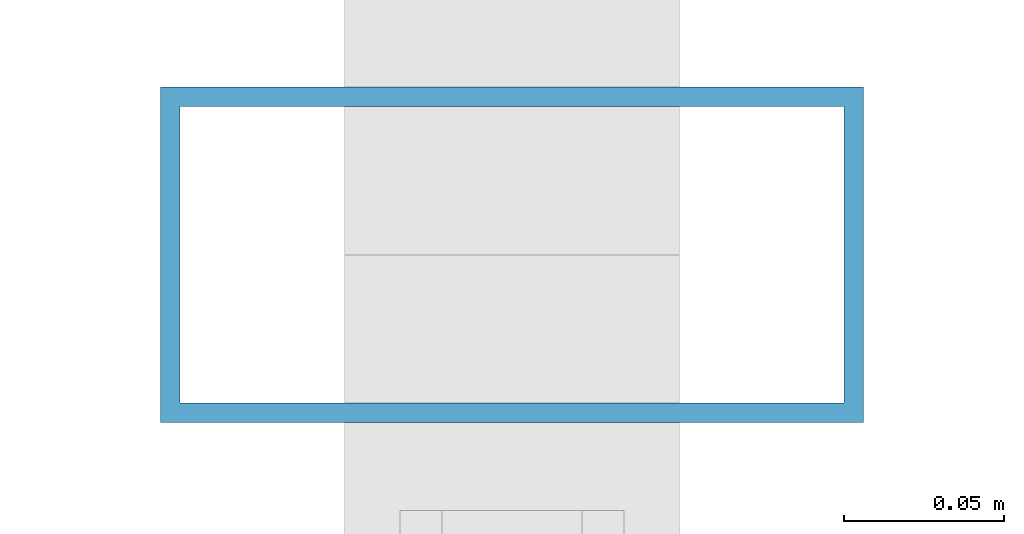
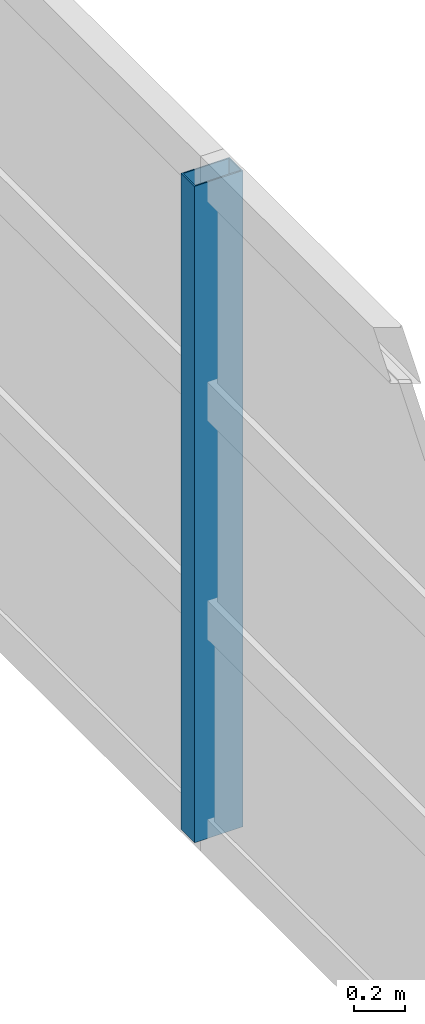
# One storey, part 37 of 116: 1 member, 1 element without a shape of its own.
"""IFC4 building model written with IfcOpenShell, lengths in metres."""

import ifcopenshell
import ifcopenshell.guid

model = None  # the IFC model being written
_history = None  # IfcOwnerHistory: only IFC2X3 demands one
_inside = {}  # id of a spatial element -> (the spatial element, [elements in it])
_under = {}  # id of a project, library or spatial element -> (it, [spatial elements below it])
_declared = {}  # id of a project -> (the project, [libraries it declares])
_typed = {}  # id of a type object -> (the type object, [elements of that type])
_made_of = {}  # id of a material, layer set ... -> (it, [elements and type objects made of it])


def new_model(schema):
    """Start an empty IFC model of exactly this schema.

    Asked for "IFC4X3", IfcOpenShell would pick the latest addendum, in which some entities
    have other attributes; the version numbers below select the first issue.
    IFC2X3 requires an IfcOwnerHistory on every rooted entity: one is made here for all.
    """
    global model, _history
    if schema == "IFC4X3":
        model = ifcopenshell.file(schema_version=(4, 3, 0, 0))
    else:
        model = ifcopenshell.file(schema=schema)
    _inside.clear()
    _under.clear()
    _declared.clear()
    _typed.clear()
    _made_of.clear()
    _history = None
    if model.schema == "IFC2X3":
        org = make("IfcOrganization", Name="unknown")
        user = make(
            "IfcPersonAndOrganization",
            ThePerson=make("IfcPerson", FamilyName="unknown"),
            TheOrganization=org,
        )
        app = make(
            "IfcApplication",
            ApplicationDeveloper=org,
            Version="unknown",
            ApplicationFullName="unknown",
            ApplicationIdentifier="unknown",
        )
        _history = make(
            "IfcOwnerHistory",
            OwningUser=user,
            OwningApplication=app,
            ChangeAction="ADDED",
            CreationDate=0,
        )
    return model


def make(cls, **values):
    """One entity of the class cls with the attributes given. An attribute that is None is left unset."""
    return model.create_entity(
        cls, **{name: value for name, value in values.items() if value is not None}
    )


def rooted(cls, **values):
    """An entity with a GlobalId (a new one), such as an element, a storey or a relation."""
    return make(cls, GlobalId=ifcopenshell.guid.new(), OwnerHistory=_history, **values)


def si_unit(unit_type, name, prefix=None):
    """IfcSIUnit, for example si_unit("LENGTHUNIT", "METRE", prefix="MILLI")."""
    return make("IfcSIUnit", UnitType=unit_type, Prefix=prefix, Name=name)


def assignment(units):
    """IfcUnitAssignment: the units of a project."""
    return None if units is None else make("IfcUnitAssignment", Units=units)


def point(xyz):
    """IfcCartesianPoint."""
    return None if xyz is None else make("IfcCartesianPoint", Coordinates=xyz)


def direction(xyz):
    """IfcDirection."""
    return None if xyz is None else make("IfcDirection", DirectionRatios=xyz)


def frame(location, z_axis=None, x_axis=None):
    """IfcAxis2Placement3D, a coordinate frame: its origin and axes. An axis left out is left unset."""
    return make(
        "IfcAxis2Placement3D",
        Location=point(location),
        Axis=direction(z_axis),
        RefDirection=direction(x_axis),
    )


def frame_2d(location, x_axis=None):
    """IfcAxis2Placement2D, a coordinate frame in the plane: its origin and x axis."""
    return make(
        "IfcAxis2Placement2D", Location=point(location), RefDirection=direction(x_axis)
    )


def origin():
    """The frame at (0, 0, 0) with its axes left unset."""
    return frame((0.0, 0.0, 0.0))


def origin_2d():
    """The frame at (0, 0) in the plane with its x axis left unset."""
    return frame_2d((0.0, 0.0))


def place(relative_to, where):
    """IfcLocalPlacement: puts the frame where relative to a parent placement (None: the world)."""
    return make(
        "IfcLocalPlacement", PlacementRelTo=relative_to, RelativePlacement=where
    )


def context(
    kind, dimensions, precision=None, world=None, true_north=None, identifier=None
):
    """IfcGeometricRepresentationContext, for example the 3D "Model" context."""
    return make(
        "IfcGeometricRepresentationContext",
        ContextIdentifier=identifier,
        ContextType=kind,
        CoordinateSpaceDimension=dimensions,
        Precision=precision,
        WorldCoordinateSystem=world,
        TrueNorth=true_north,
    )


def subcontext(parent, identifier, kind, view, scale=None):
    """IfcGeometricRepresentationSubContext, for example "Body" below "Model"."""
    return make(
        "IfcGeometricRepresentationSubContext",
        ContextIdentifier=identifier,
        ContextType=kind,
        ParentContext=parent,
        TargetScale=scale,
        TargetView=view,
    )


def project(units=None, contexts=None):
    """IfcProject with its units and contexts."""
    return rooted(
        "IfcProject",
        Name="project",
        RepresentationContexts=contexts,
        UnitsInContext=assignment(units),
    )


def spatial(cls, under=None, at=None, **own):
    """A site, building, storey or space (cls), placed at a placement, below another one or the project."""
    s = rooted(cls, ObjectPlacement=at, **own)
    if under is not None:
        _under.setdefault(under.id(), (under, []))[1].append(s)
    return s


def profile(cls, at=None, kind="AREA", **sizes):
    """A parametric profile (cls). Its sizes go by their IFC names, for example OverallWidth=200.0."""
    return make(cls, ProfileType=kind, Position=at, **sizes)


def hollow_rectangle(**sizes):
    """IfcRectangleHollowProfileDef."""
    return profile("IfcRectangleHollowProfileDef", **sizes)


def extrude(swept, where, along, depth):
    """IfcExtrudedAreaSolid: the profile swept, set in the frame where, extruded along a direction by depth."""
    return make(
        "IfcExtrudedAreaSolid",
        SweptArea=swept,
        Position=where,
        ExtrudedDirection=direction(along),
        Depth=depth,
    )


def shape(context_of_items, identifier, shape_type, items):
    """IfcShapeRepresentation: the items that make up one representation, for example the "Body"."""
    return make(
        "IfcShapeRepresentation",
        ContextOfItems=context_of_items,
        RepresentationIdentifier=identifier,
        RepresentationType=shape_type,
        Items=items,
    )


def material(Name=None, Category=None):
    """IfcMaterial."""
    return make("IfcMaterial", Name=Name, Category=Category)


def material_profile(
    of_material, cross_section, Name=None, Category=None, Priority=None
):
    """IfcMaterialProfile: a cross section and its material."""
    return make(
        "IfcMaterialProfile",
        Name=Name,
        Material=of_material,
        Profile=cross_section,
        Priority=Priority,
        Category=Category,
    )


def profile_set(profiles, Name=None, composite=None):
    """IfcMaterialProfileSet."""
    return make(
        "IfcMaterialProfileSet",
        Name=Name,
        MaterialProfiles=profiles,
        CompositeProfile=composite,
    )


def made_of(thing, what):
    """Note that an element or type object is made of a material, layer set ...; save() writes the relation."""
    if what is not None:
        _made_of.setdefault(what.id(), (what, []))[1].append(thing)
    return thing


def type_object(cls, material=None, **own):
    """A type object (cls), such as IfcWallType, which elements share."""
    return made_of(rooted(cls, **own), material)


def element(
    cls,
    number,
    at=None,
    inside=None,
    cuts=None,
    type_object=None,
    material=None,
    context=None,
    identifier="Body",
    shape_type=None,
    held_by="IfcProductDefinitionShape",
    body=None,
    shapes=None,
    **own,
):
    """One element of the class cls, such as IfcWall. Its Tag is "e" and its number.

    at: its placement. inside: the storey or other place that contains it. cuts: it is an
    opening in that element (IfcRelVoidsElement). A single representation is given by context,
    identifier, shape_type and body (its items); several are given by shapes. held_by: the class
    of the entity that holds the representations. save() writes the other relations.
    """
    e = rooted(cls, Tag="e%d" % number, ObjectPlacement=at, **own)
    if body is not None:
        shapes = [shape(context, identifier, shape_type, body)]
    if shapes is not None:
        e.Representation = make(held_by, Representations=shapes)
    if inside is not None:
        _inside.setdefault(inside.id(), (inside, []))[1].append(e)
    if cuts is not None:
        rooted(
            "IfcRelVoidsElement", RelatingBuildingElement=cuts, RelatedOpeningElement=e
        )
    if type_object is not None:
        _typed.setdefault(type_object.id(), (type_object, []))[1].append(e)
    return made_of(e, material)


def aggregate(whole, parts):
    """IfcRelAggregates: a whole, such as a stair, and the parts it consists of."""
    return rooted("IfcRelAggregates", RelatingObject=whole, RelatedObjects=parts)


def save(model, path):
    """Write the relations noted so far, then the file.

    IfcRelAggregates (storeys below a building ...), IfcRelContainedInSpatialStructure (elements
    in a storey), IfcRelDefinesByType, IfcRelAssociatesMaterial and IfcRelDeclares: one each for
    every whole, place, type object, material and project.
    """
    for whole, parts in _under.values():
        aggregate(whole, parts)
    for where, things in _inside.values():
        rooted(
            "IfcRelContainedInSpatialStructure",
            RelatedElements=things,
            RelatingStructure=where,
        )
    for kind, things in _typed.values():
        rooted("IfcRelDefinesByType", RelatedObjects=things, RelatingType=kind)
    for what, things in _made_of.values():
        rooted("IfcRelAssociatesMaterial", RelatedObjects=things, RelatingMaterial=what)
    for by, libraries in _declared.values():
        rooted("IfcRelDeclares", RelatingContext=by, RelatedDefinitions=libraries)
    model.write(path)


model = new_model("IFC4")

# Units and contexts
model_context = context("Model", 3, precision=1e-05, world=origin(), true_north=direction((0.0, 1.0)))
body_context = subcontext(model_context, "Body", "Model", "MODEL_VIEW")
ifc_project = project(units=[si_unit("LENGTHUNIT", "METRE"), si_unit("AREAUNIT", "SQUARE_METRE"), si_unit("VOLUMEUNIT", "CUBIC_METRE"), si_unit("PLANEANGLEUNIT", "RADIAN"), si_unit("MASSUNIT", "GRAM", prefix="KILO")], contexts=[model_context])

# Site, building, storey
site_placement = place(None, origin())
site = spatial("IfcSite", under=ifc_project, at=site_placement, CompositionType="ELEMENT")
building_placement = place(site_placement, origin())
building = spatial("IfcBuilding", under=site, at=building_placement, Name="Chuanluo Vaults Station", CompositionType="ELEMENT")
storey_placement = place(building_placement, frame((0.0, 0.0, 10.800048828125)))
storey = spatial("IfcBuildingStorey", under=building, at=storey_placement, Name="L02", CompositionType="ELEMENT", Elevation=10.800048828125)

# Curtain wall, member
ifc_material_1 = material(Name="Anodised aluminium 6063-T6", Category="aluminium")
curtain_wall_type = type_object("IfcCurtainWallType", Name="CW-SYS-12", PredefinedType="NOTDEFINED", material=ifc_material_1)
curtain_wall_placement = place(storey_placement, origin())
curtain_wall = element("IfcCurtainWall", 1, at=curtain_wall_placement, inside=storey, type_object=curtain_wall_type, Name="Train shed east clerestory CW 54", PredefinedType="NOTDEFINED")
ifc_material_2 = material(Name="Anodised aluminium 6063-T6", Category="aluminium")
ifc_material_profile = material_profile(ifc_material_2, hollow_rectangle(XDim=0.10498046875, YDim=0.219970703125, WallThickness=0.006103515625, at=origin_2d()))
ifc_profile_set = profile_set([ifc_material_profile], Name="Anodised aluminium 6063-T6")
member_type = type_object("IfcMemberType", Name="CWM-140", PredefinedType="MULLION", material=ifc_profile_set)
member_placement = place(storey_placement, frame((126.0, 63.78759765625, 0.0), z_axis=(0.0, 0.0, 1.0), x_axis=(0.0, -1.0, 0.0)))
member = element("IfcMember", 2, at=member_placement, type_object=member_type, Name="Train shed east clerestory CW 54 mullion 2", PredefinedType="MULLION", context=body_context, shape_type="SweptSolid", body=[
    extrude(hollow_rectangle(XDim=0.10498046875, YDim=0.219970703125, WallThickness=0.006103515625, at=origin_2d()), origin(), (0.0, 0.0, 1.0), 3.14990234375),
])
aggregate(curtain_wall, [member])

save(model, "model.ifc")
